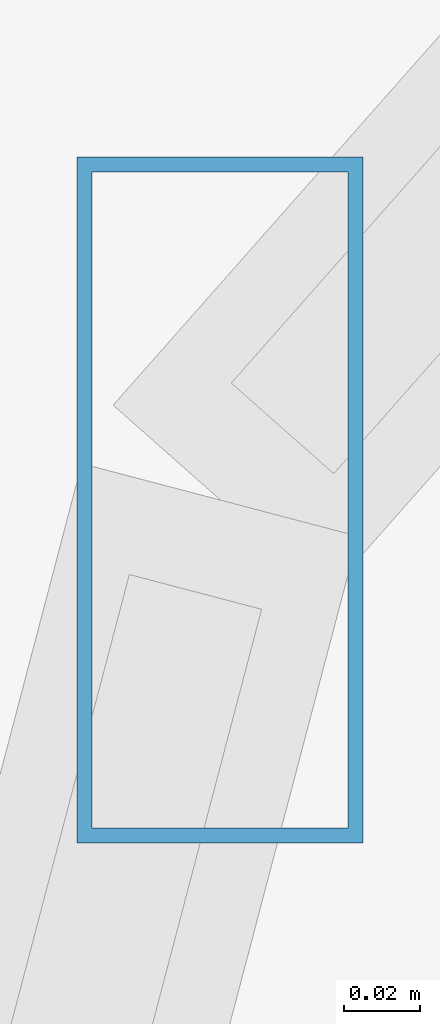
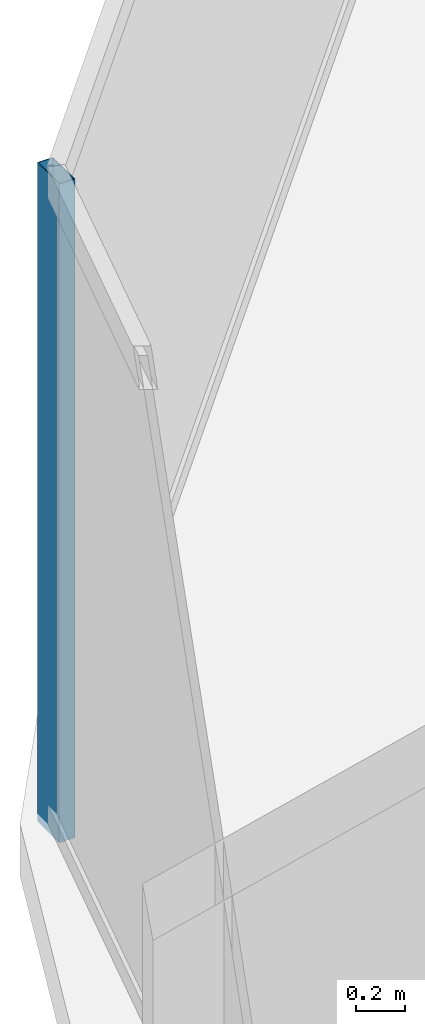
# One storey, part 9 of 33: 1 member, 1 element without a shape of its own.
"""IFC4 building model written with IfcOpenShell, lengths in metres."""

from ifc_helpers import new_model, si_unit, direction, frame, origin, origin_2d, place, context, subcontext, project, spatial, hollow_rectangle, extrude, material, material_profile, profile_set, type_object, element, aggregate, save


model = new_model("IFC4")

# Units and contexts
model_context = context("Model", 3, precision=1e-05, world=origin(), true_north=direction((0.0, 1.0)))
body_context = subcontext(model_context, "Body", "Model", "MODEL_VIEW")
ifc_project = project(units=[si_unit("LENGTHUNIT", "METRE"), si_unit("AREAUNIT", "SQUARE_METRE"), si_unit("VOLUMEUNIT", "CUBIC_METRE"), si_unit("PLANEANGLEUNIT", "RADIAN"), si_unit("MASSUNIT", "GRAM", prefix="KILO")], contexts=[model_context])

# Site, building, storey
site_placement = place(None, origin())
site = spatial("IfcSite", under=ifc_project, at=site_placement, CompositionType="ELEMENT")
building_placement = place(site_placement, origin())
building = spatial("IfcBuilding", under=site, at=building_placement, Name="Vorneva Point Tower", CompositionType="ELEMENT")
storey_placement = place(building_placement, frame((0.0, 0.0, 34.5)))
storey = spatial("IfcBuildingStorey", under=building, at=storey_placement, Name="L08", CompositionType="ELEMENT", Elevation=34.5)

# Curtain wall, member
ifc_material = material(Name="Pale anodised aluminium", Category="aluminium")
curtain_wall_type = type_object("IfcCurtainWallType", Name="CW-HTL-SYS", PredefinedType="NOTDEFINED", material=ifc_material)
curtain_wall_placement = place(storey_placement, origin())
curtain_wall = element("IfcCurtainWall", 1, at=curtain_wall_placement, inside=storey, type_object=curtain_wall_type, Name="L08 Unitised Curtain Wall CW-L08-R03", PredefinedType="NOTDEFINED")
ifc_material_profile = material_profile(ifc_material, hollow_rectangle(XDim=0.074951171875, YDim=0.179931640625, WallThickness=0.00390625, at=origin_2d()), Name="AL-MUL 180x75x4")
ifc_profile_set = profile_set([ifc_material_profile], Name="Pale anodised aluminium")
member_type = type_object("IfcMemberType", Name="CW-MUL-180", PredefinedType="MULLION", material=ifc_profile_set)
member_placement = place(storey_placement, frame((10.699462890625, 34.552978515625, -0.0400390625), z_axis=(0.0, 0.0, 1.0), x_axis=(1.0, 0.0, 0.0)))
member = element("IfcMember", 2, at=member_placement, type_object=member_type, Name="CW-L08-R03 Mullion 02", PredefinedType="MULLION", context=body_context, shape_type="SweptSolid", body=[
    extrude(hollow_rectangle(XDim=0.074951171875, YDim=0.179931640625, WallThickness=0.00390625, at=origin_2d()), origin(), (0.0, 0.0, 1.0), 3.31005859375),
])
aggregate(curtain_wall, [member])

save(model, "model.ifc")
